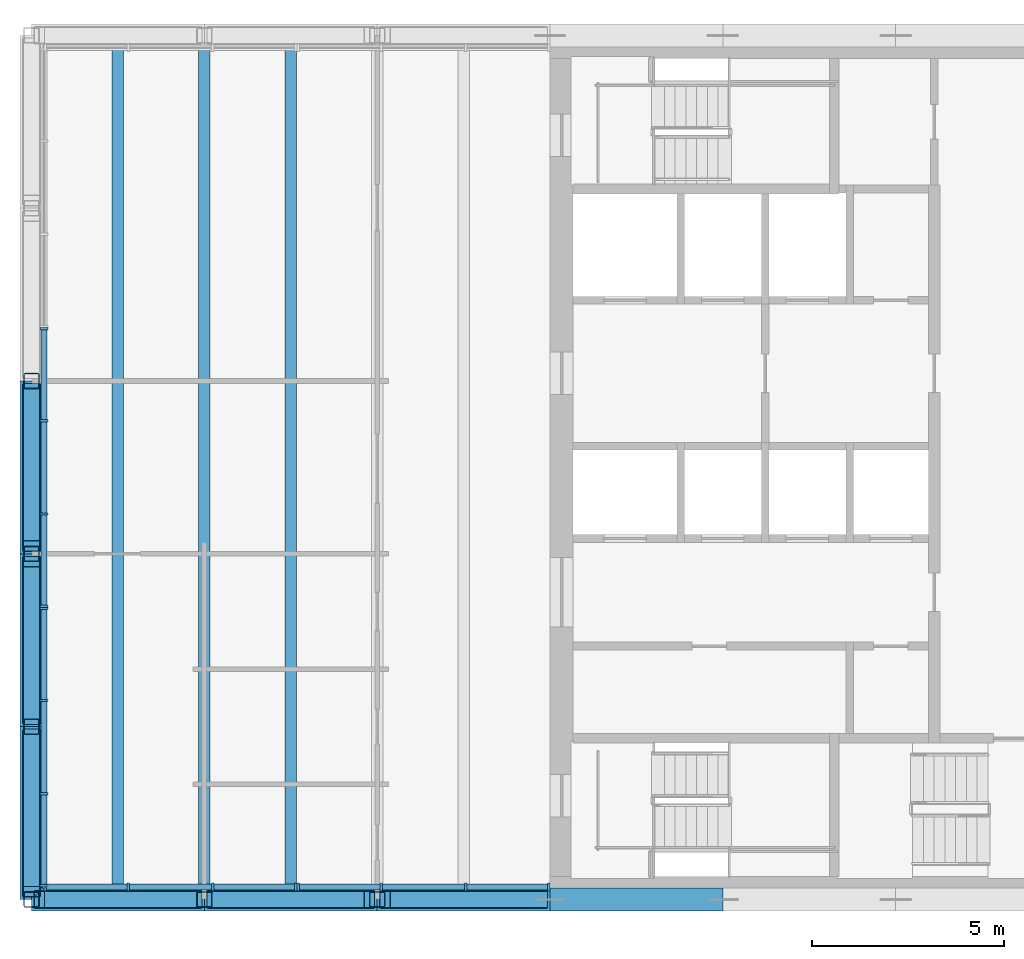
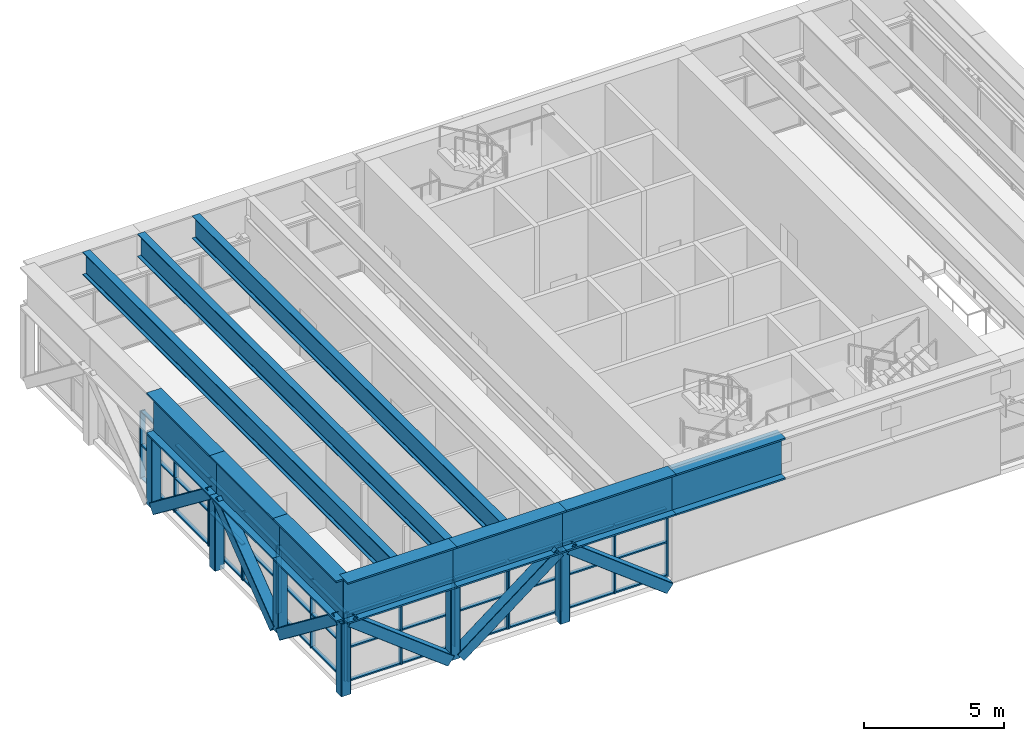
# One storey, part 1 of 12: 71 members, 3 beams, 4 elements without a shape of their own.
"""IFC4 building model written with IfcOpenShell, lengths in metres."""

from ifc_helpers import new_model, si_unit, direction, frame, origin, origin_2d, place, context, subcontext, project, spatial, rectangle, hollow_rectangle, i_section, extrude, material, material_profile, profile_set, type_object, element, aggregate, save


model = new_model("IFC4")

# Units and contexts
model_context = context("Model", 3, precision=1e-05, world=origin(), true_north=direction((0.0, 1.0)))
body_context = subcontext(model_context, "Body", "Model", "MODEL_VIEW")
ifc_project = project(units=[si_unit("LENGTHUNIT", "METRE"), si_unit("AREAUNIT", "SQUARE_METRE"), si_unit("VOLUMEUNIT", "CUBIC_METRE"), si_unit("PLANEANGLEUNIT", "RADIAN"), si_unit("MASSUNIT", "GRAM", prefix="KILO")], contexts=[model_context])

# Site, building, storey
site_placement = place(None, origin())
site = spatial("IfcSite", under=ifc_project, at=site_placement, CompositionType="ELEMENT")
building_placement = place(site_placement, origin())
building = spatial("IfcBuilding", under=site, at=building_placement, Name="Sennacour Bend Tower", CompositionType="ELEMENT")
storey_placement = place(building_placement, frame((0.0, 0.0, 350.5)))
storey = spatial("IfcBuildingStorey", under=building, at=storey_placement, Name="L80", CompositionType="ELEMENT", Elevation=350.5)

# Curtain wall, members
ifc_material_1 = material(Name="Bronze anodised aluminium curtain wall with clear glass", Category="aluminium")
curtain_wall_type = type_object("IfcCurtainWallType", Name="CURTAIN WALL LOUNGE", PredefinedType="NOTDEFINED", material=ifc_material_1)
curtain_wall_1_placement = place(storey_placement, origin())
curtain_wall_1 = element("IfcCurtainWall", 1, at=curtain_wall_1_placement, inside=storey, type_object=curtain_wall_type, Name="Sky lounge glass wall L80", PredefinedType="NOTDEFINED")
ifc_material_2 = material(Name="Aluminium 6063-T6", Category="aluminium")
ifc_material_profile_1 = material_profile(ifc_material_2, rectangle(XDim=0.199951171875, YDim=0.06005859375, at=origin_2d()), Name="Aluminium 6063-T6", Category="aluminium")
ifc_profile_set_1 = profile_set([ifc_material_profile_1], Name="Aluminium 6063-T6")
member_type_1 = type_object("IfcMemberType", Name="CW-MULLION-200X60", PredefinedType="MULLION", material=ifc_profile_set_1)
member_1_placement = place(storey_placement, frame((40.824951171875, 0.35498046875, 0.0), z_axis=(0.0, 0.0, 1.0), x_axis=(-1.0, 0.0, 0.0)))
member_1 = element("IfcMember", 2, at=member_1_placement, type_object=member_type_1, Name="GW4 curtain wall mullion 1", PredefinedType="MULLION", context=body_context, shape_type="SweptSolid", body=[
    extrude(rectangle(XDim=0.199951171875, YDim=0.06005859375, at=origin_2d()), origin(), (0.0, 0.0, 1.0), 2.9501953125),
])
member_2_placement = place(storey_placement, frame((40.824951171875, 2.752685546875, 0.0), z_axis=(0.0, 0.0, 1.0), x_axis=(-1.0, 0.0, 0.0)))
member_2 = element("IfcMember", 3, at=member_2_placement, type_object=member_type_1, Name="GW4 curtain wall mullion 2", PredefinedType="MULLION", context=body_context, shape_type="SweptSolid", body=[
    extrude(rectangle(XDim=0.199951171875, YDim=0.06005859375, at=origin_2d()), origin(), (0.0, 0.0, 1.0), 2.9501953125),
])
member_3_placement = place(storey_placement, frame((40.824951171875, 5.180419921875, 0.0), z_axis=(0.0, 0.0, 1.0), x_axis=(-1.0, 0.0, 0.0)))
member_3 = element("IfcMember", 4, at=member_3_placement, type_object=member_type_1, Name="GW4 curtain wall mullion 3", PredefinedType="MULLION", context=body_context, shape_type="SweptSolid", body=[
    extrude(rectangle(XDim=0.199951171875, YDim=0.06005859375, at=origin_2d()), origin(), (0.0, 0.0, 1.0), 2.9501953125),
])
member_4_placement = place(storey_placement, frame((40.824951171875, 7.578369140625, 0.0), z_axis=(0.0, 0.0, 1.0), x_axis=(-1.0, 0.0, 0.0)))
member_4 = element("IfcMember", 5, at=member_4_placement, type_object=member_type_1, Name="GW4 curtain wall mullion 4", PredefinedType="MULLION", context=body_context, shape_type="SweptSolid", body=[
    extrude(rectangle(XDim=0.199951171875, YDim=0.06005859375, at=origin_2d()), origin(), (0.0, 0.0, 1.0), 2.9501953125),
])

curtain_wall_2_placement = place(storey_placement, origin())
curtain_wall_2 = element("IfcCurtainWall", 6, at=curtain_wall_2_placement, inside=storey, type_object=curtain_wall_type, Name="Sky lounge glass wall L80", PredefinedType="NOTDEFINED")
member_5_placement = place(storey_placement, frame((40.824951171875, 7.63818359375, 0.0), z_axis=(0.0, 0.0, 1.0), x_axis=(-1.0, 0.0, 0.0)))
member_5 = element("IfcMember", 7, at=member_5_placement, type_object=member_type_1, Name="GW4 curtain wall mullion 1", PredefinedType="MULLION", context=body_context, shape_type="SweptSolid", body=[
    extrude(rectangle(XDim=0.199951171875, YDim=0.06005859375, at=origin_2d()), origin(), (0.0, 0.0, 1.0), 2.9501953125),
])
member_6_placement = place(storey_placement, frame((40.824951171875, 10.0361328125, 0.0), z_axis=(0.0, 0.0, 1.0), x_axis=(-1.0, 0.0, 0.0)))
member_6 = element("IfcMember", 8, at=member_6_placement, type_object=member_type_1, Name="GW4 curtain wall mullion 2", PredefinedType="MULLION", context=body_context, shape_type="SweptSolid", body=[
    extrude(rectangle(XDim=0.199951171875, YDim=0.06005859375, at=origin_2d()), origin(), (0.0, 0.0, 1.0), 2.9501953125),
])
member_7_placement = place(storey_placement, frame((40.824951171875, 12.4638671875, 0.0), z_axis=(0.0, 0.0, 1.0), x_axis=(-1.0, 0.0, 0.0)))
member_7 = element("IfcMember", 9, at=member_7_placement, type_object=member_type_1, Name="GW4 curtain wall mullion 3", PredefinedType="MULLION", context=body_context, shape_type="SweptSolid", body=[
    extrude(rectangle(XDim=0.199951171875, YDim=0.06005859375, at=origin_2d()), origin(), (0.0, 0.0, 1.0), 2.9501953125),
])
member_8_placement = place(storey_placement, frame((40.824951171875, 14.86181640625, 0.0), z_axis=(0.0, 0.0, 1.0), x_axis=(-1.0, 0.0, 0.0)))
member_8 = element("IfcMember", 10, at=member_8_placement, type_object=member_type_1, Name="GW4 curtain wall mullion 4", PredefinedType="MULLION", context=body_context, shape_type="SweptSolid", body=[
    extrude(rectangle(XDim=0.199951171875, YDim=0.06005859375, at=origin_2d()), origin(), (0.0, 0.0, 1.0), 2.9501953125),
])

curtain_wall_3_placement = place(storey_placement, origin())
curtain_wall_3 = element("IfcCurtainWall", 11, at=curtain_wall_3_placement, inside=storey, type_object=curtain_wall_type, Name="Sky lounge glass wall L80", PredefinedType="NOTDEFINED")
member_9_placement = place(storey_placement, frame((40.85498046875, 0.324951171875, 0.0), z_axis=(0.0, 0.0, 1.0), x_axis=(0.0, 1.0, 0.0)))
member_9 = element("IfcMember", 12, at=member_9_placement, type_object=member_type_1, Name="GW4 curtain wall mullion 1", PredefinedType="MULLION", context=body_context, shape_type="SweptSolid", body=[
    extrude(rectangle(XDim=0.199951171875, YDim=0.06005859375, at=origin_2d()), origin(), (0.0, 0.0, 1.0), 2.9501953125),
])
member_10_placement = place(storey_placement, frame((43.020751953125, 0.324951171875, 0.0), z_axis=(0.0, 0.0, 1.0), x_axis=(0.0, 1.0, 0.0)))
member_10 = element("IfcMember", 13, at=member_10_placement, type_object=member_type_1, Name="GW4 curtain wall mullion 2", PredefinedType="MULLION", context=body_context, shape_type="SweptSolid", body=[
    extrude(rectangle(XDim=0.199951171875, YDim=0.06005859375, at=origin_2d()), origin(), (0.0, 0.0, 1.0), 2.9501953125),
])
member_11_placement = place(storey_placement, frame((45.21630859375, 0.324951171875, 0.0), z_axis=(0.0, 0.0, 1.0), x_axis=(0.0, 1.0, 0.0)))
member_11 = element("IfcMember", 14, at=member_11_placement, type_object=member_type_1, Name="GW4 curtain wall mullion 3", PredefinedType="MULLION", context=body_context, shape_type="SweptSolid", body=[
    extrude(rectangle(XDim=0.199951171875, YDim=0.06005859375, at=origin_2d()), origin(), (0.0, 0.0, 1.0), 2.9501953125),
])
member_12_placement = place(storey_placement, frame((47.382080078125, 0.324951171875, 0.0), z_axis=(0.0, 0.0, 1.0), x_axis=(0.0, 1.0, 0.0)))
member_12 = element("IfcMember", 15, at=member_12_placement, type_object=member_type_1, Name="GW4 curtain wall mullion 4", PredefinedType="MULLION", context=body_context, shape_type="SweptSolid", body=[
    extrude(rectangle(XDim=0.199951171875, YDim=0.06005859375, at=origin_2d()), origin(), (0.0, 0.0, 1.0), 2.9501953125),
])

curtain_wall_4_placement = place(storey_placement, origin())
curtain_wall_4 = element("IfcCurtainWall", 16, at=curtain_wall_4_placement, inside=storey, type_object=curtain_wall_type, Name="Sky lounge glass wall L80", PredefinedType="NOTDEFINED")
member_13_placement = place(storey_placement, frame((47.44189453125, 0.324951171875, 0.0), z_axis=(0.0, 0.0, 1.0), x_axis=(0.0, 1.0, 0.0)))
member_13 = element("IfcMember", 17, at=member_13_placement, type_object=member_type_1, Name="GW4 curtain wall mullion 1", PredefinedType="MULLION", context=body_context, shape_type="SweptSolid", body=[
    extrude(rectangle(XDim=0.199951171875, YDim=0.06005859375, at=origin_2d()), origin(), (0.0, 0.0, 1.0), 2.9501953125),
])
member_14_placement = place(storey_placement, frame((49.607666015625, 0.324951171875, 0.0), z_axis=(0.0, 0.0, 1.0), x_axis=(0.0, 1.0, 0.0)))
member_14 = element("IfcMember", 18, at=member_14_placement, type_object=member_type_1, Name="GW4 curtain wall mullion 2", PredefinedType="MULLION", context=body_context, shape_type="SweptSolid", body=[
    extrude(rectangle(XDim=0.199951171875, YDim=0.06005859375, at=origin_2d()), origin(), (0.0, 0.0, 1.0), 2.9501953125),
])
member_15_placement = place(storey_placement, frame((51.80322265625, 0.324951171875, 0.0), z_axis=(0.0, 0.0, 1.0), x_axis=(0.0, 1.0, 0.0)))
member_15 = element("IfcMember", 19, at=member_15_placement, type_object=member_type_1, Name="GW4 curtain wall mullion 3", PredefinedType="MULLION", context=body_context, shape_type="SweptSolid", body=[
    extrude(rectangle(XDim=0.199951171875, YDim=0.06005859375, at=origin_2d()), origin(), (0.0, 0.0, 1.0), 2.9501953125),
])
member_16_placement = place(storey_placement, frame((53.968994140625, 0.324951171875, 0.0), z_axis=(0.0, 0.0, 1.0), x_axis=(0.0, 1.0, 0.0)))
member_16 = element("IfcMember", 20, at=member_16_placement, type_object=member_type_1, Name="GW4 curtain wall mullion 4", PredefinedType="MULLION", context=body_context, shape_type="SweptSolid", body=[
    extrude(rectangle(XDim=0.199951171875, YDim=0.06005859375, at=origin_2d()), origin(), (0.0, 0.0, 1.0), 2.9501953125),
])

# Member
ifc_material_profile_2 = material_profile(ifc_material_2, rectangle(XDim=0.14990234375, YDim=0.06005859375, at=origin_2d()), Name="Aluminium 6063-T6", Category="aluminium")
ifc_profile_set_2 = profile_set([ifc_material_profile_2], Name="Aluminium 6063-T6")
member_type_2 = type_object("IfcMemberType", Name="CW-TRANSOM-150X60", PredefinedType="USERDEFINED", material=ifc_profile_set_2)
member_17_placement = place(storey_placement, frame((40.824951171875, 0.385009765625, 0.030029296875), z_axis=(0.0, 1.0, 0.0), x_axis=(-1.0, 0.0, 0.0)))
member_17 = element("IfcMember", 21, at=member_17_placement, type_object=member_type_2, Name="GW4 curtain wall transom 1.1", ObjectType="TRANSOM", PredefinedType="USERDEFINED", context=body_context, shape_type="SweptSolid", body=[
    extrude(rectangle(XDim=0.14990234375, YDim=0.06005859375, at=origin_2d()), origin(), (0.0, 0.0, 1.0), 2.337646484375),
])

member_18_placement = place(storey_placement, frame((40.824951171875, 0.385009765625, 1.47509765625), z_axis=(0.0, 1.0, 0.0), x_axis=(-1.0, 0.0, 0.0)))
member_18 = element("IfcMember", 22, at=member_18_placement, type_object=member_type_2, Name="GW4 curtain wall transom 1.2", ObjectType="TRANSOM", PredefinedType="USERDEFINED", context=body_context, shape_type="SweptSolid", body=[
    extrude(rectangle(XDim=0.14990234375, YDim=0.06005859375, at=origin_2d()), origin(), (0.0, 0.0, 1.0), 2.337646484375),
])

member_19_placement = place(storey_placement, frame((40.824951171875, 0.385009765625, 2.920166015625), z_axis=(0.0, 1.0, 0.0), x_axis=(-1.0, 0.0, 0.0)))
member_19 = element("IfcMember", 23, at=member_19_placement, type_object=member_type_2, Name="GW4 curtain wall transom 1.3", ObjectType="TRANSOM", PredefinedType="USERDEFINED", context=body_context, shape_type="SweptSolid", body=[
    extrude(rectangle(XDim=0.14990234375, YDim=0.06005859375, at=origin_2d()), origin(), (0.0, 0.0, 1.0), 2.337646484375),
])

member_20_placement = place(storey_placement, frame((40.824951171875, 2.78271484375, 0.030029296875), z_axis=(0.0, 1.0, 0.0), x_axis=(-1.0, 0.0, 0.0)))
member_20 = element("IfcMember", 24, at=member_20_placement, type_object=member_type_2, Name="GW4 curtain wall transom 2.1", ObjectType="TRANSOM", PredefinedType="USERDEFINED", context=body_context, shape_type="SweptSolid", body=[
    extrude(rectangle(XDim=0.14990234375, YDim=0.06005859375, at=origin_2d()), origin(), (0.0, 0.0, 1.0), 2.367919921875),
])

member_21_placement = place(storey_placement, frame((40.824951171875, 2.78271484375, 1.47509765625), z_axis=(0.0, 1.0, 0.0), x_axis=(-1.0, 0.0, 0.0)))
member_21 = element("IfcMember", 25, at=member_21_placement, type_object=member_type_2, Name="GW4 curtain wall transom 2.2", ObjectType="TRANSOM", PredefinedType="USERDEFINED", context=body_context, shape_type="SweptSolid", body=[
    extrude(rectangle(XDim=0.14990234375, YDim=0.06005859375, at=origin_2d()), origin(), (0.0, 0.0, 1.0), 2.367919921875),
])

member_22_placement = place(storey_placement, frame((40.824951171875, 2.78271484375, 2.920166015625), z_axis=(0.0, 1.0, 0.0), x_axis=(-1.0, 0.0, 0.0)))
member_22 = element("IfcMember", 26, at=member_22_placement, type_object=member_type_2, Name="GW4 curtain wall transom 2.3", ObjectType="TRANSOM", PredefinedType="USERDEFINED", context=body_context, shape_type="SweptSolid", body=[
    extrude(rectangle(XDim=0.14990234375, YDim=0.06005859375, at=origin_2d()), origin(), (0.0, 0.0, 1.0), 2.367919921875),
])

member_23_placement = place(storey_placement, frame((40.824951171875, 5.21044921875, 0.030029296875), z_axis=(0.0, 1.0, 0.0), x_axis=(-1.0, 0.0, 0.0)))
member_23 = element("IfcMember", 27, at=member_23_placement, type_object=member_type_2, Name="GW4 curtain wall transom 3.1", ObjectType="TRANSOM", PredefinedType="USERDEFINED", context=body_context, shape_type="SweptSolid", body=[
    extrude(rectangle(XDim=0.14990234375, YDim=0.06005859375, at=origin_2d()), origin(), (0.0, 0.0, 1.0), 2.337890625),
])

member_24_placement = place(storey_placement, frame((40.824951171875, 5.21044921875, 1.47509765625), z_axis=(0.0, 1.0, 0.0), x_axis=(-1.0, 0.0, 0.0)))
member_24 = element("IfcMember", 28, at=member_24_placement, type_object=member_type_2, Name="GW4 curtain wall transom 3.2", ObjectType="TRANSOM", PredefinedType="USERDEFINED", context=body_context, shape_type="SweptSolid", body=[
    extrude(rectangle(XDim=0.14990234375, YDim=0.06005859375, at=origin_2d()), origin(), (0.0, 0.0, 1.0), 2.337890625),
])

member_25_placement = place(storey_placement, frame((40.824951171875, 5.21044921875, 2.920166015625), z_axis=(0.0, 1.0, 0.0), x_axis=(-1.0, 0.0, 0.0)))
member_25 = element("IfcMember", 29, at=member_25_placement, type_object=member_type_2, Name="GW4 curtain wall transom 3.3", ObjectType="TRANSOM", PredefinedType="USERDEFINED", context=body_context, shape_type="SweptSolid", body=[
    extrude(rectangle(XDim=0.14990234375, YDim=0.06005859375, at=origin_2d()), origin(), (0.0, 0.0, 1.0), 2.337890625),
])

aggregate(curtain_wall_1, [member_1, member_2, member_3, member_4, member_17, member_18, member_19, member_20, member_21, member_22, member_23, member_24, member_25])

member_26_placement = place(storey_placement, frame((40.824951171875, 7.668212890625, 0.030029296875), z_axis=(0.0, 1.0, 0.0), x_axis=(-1.0, 0.0, 0.0)))
member_26 = element("IfcMember", 30, at=member_26_placement, type_object=member_type_2, Name="GW4 curtain wall transom 1.1", ObjectType="TRANSOM", PredefinedType="USERDEFINED", context=body_context, shape_type="SweptSolid", body=[
    extrude(rectangle(XDim=0.14990234375, YDim=0.06005859375, at=origin_2d()), origin(), (0.0, 0.0, 1.0), 2.337890625),
])

member_27_placement = place(storey_placement, frame((40.824951171875, 7.668212890625, 1.47509765625), z_axis=(0.0, 1.0, 0.0), x_axis=(-1.0, 0.0, 0.0)))
member_27 = element("IfcMember", 31, at=member_27_placement, type_object=member_type_2, Name="GW4 curtain wall transom 1.2", ObjectType="TRANSOM", PredefinedType="USERDEFINED", context=body_context, shape_type="SweptSolid", body=[
    extrude(rectangle(XDim=0.14990234375, YDim=0.06005859375, at=origin_2d()), origin(), (0.0, 0.0, 1.0), 2.337890625),
])

member_28_placement = place(storey_placement, frame((40.824951171875, 7.668212890625, 2.920166015625), z_axis=(0.0, 1.0, 0.0), x_axis=(-1.0, 0.0, 0.0)))
member_28 = element("IfcMember", 32, at=member_28_placement, type_object=member_type_2, Name="GW4 curtain wall transom 1.3", ObjectType="TRANSOM", PredefinedType="USERDEFINED", context=body_context, shape_type="SweptSolid", body=[
    extrude(rectangle(XDim=0.14990234375, YDim=0.06005859375, at=origin_2d()), origin(), (0.0, 0.0, 1.0), 2.337890625),
])

member_29_placement = place(storey_placement, frame((40.824951171875, 10.066162109375, 0.030029296875), z_axis=(0.0, 1.0, 0.0), x_axis=(-1.0, 0.0, 0.0)))
member_29 = element("IfcMember", 33, at=member_29_placement, type_object=member_type_2, Name="GW4 curtain wall transom 2.1", ObjectType="TRANSOM", PredefinedType="USERDEFINED", context=body_context, shape_type="SweptSolid", body=[
    extrude(rectangle(XDim=0.14990234375, YDim=0.06005859375, at=origin_2d()), origin(), (0.0, 0.0, 1.0), 2.36767578125),
])

member_30_placement = place(storey_placement, frame((40.824951171875, 10.066162109375, 1.47509765625), z_axis=(0.0, 1.0, 0.0), x_axis=(-1.0, 0.0, 0.0)))
member_30 = element("IfcMember", 34, at=member_30_placement, type_object=member_type_2, Name="GW4 curtain wall transom 2.2", ObjectType="TRANSOM", PredefinedType="USERDEFINED", context=body_context, shape_type="SweptSolid", body=[
    extrude(rectangle(XDim=0.14990234375, YDim=0.06005859375, at=origin_2d()), origin(), (0.0, 0.0, 1.0), 2.36767578125),
])

member_31_placement = place(storey_placement, frame((40.824951171875, 10.066162109375, 2.920166015625), z_axis=(0.0, 1.0, 0.0), x_axis=(-1.0, 0.0, 0.0)))
member_31 = element("IfcMember", 35, at=member_31_placement, type_object=member_type_2, Name="GW4 curtain wall transom 2.3", ObjectType="TRANSOM", PredefinedType="USERDEFINED", context=body_context, shape_type="SweptSolid", body=[
    extrude(rectangle(XDim=0.14990234375, YDim=0.06005859375, at=origin_2d()), origin(), (0.0, 0.0, 1.0), 2.36767578125),
])

member_32_placement = place(storey_placement, frame((40.824951171875, 12.493896484375, 0.030029296875), z_axis=(0.0, 1.0, 0.0), x_axis=(-1.0, 0.0, 0.0)))
member_32 = element("IfcMember", 36, at=member_32_placement, type_object=member_type_2, Name="GW4 curtain wall transom 3.1", ObjectType="TRANSOM", PredefinedType="USERDEFINED", context=body_context, shape_type="SweptSolid", body=[
    extrude(rectangle(XDim=0.14990234375, YDim=0.06005859375, at=origin_2d()), origin(), (0.0, 0.0, 1.0), 2.337890625),
])

member_33_placement = place(storey_placement, frame((40.824951171875, 12.493896484375, 1.47509765625), z_axis=(0.0, 1.0, 0.0), x_axis=(-1.0, 0.0, 0.0)))
member_33 = element("IfcMember", 37, at=member_33_placement, type_object=member_type_2, Name="GW4 curtain wall transom 3.2", ObjectType="TRANSOM", PredefinedType="USERDEFINED", context=body_context, shape_type="SweptSolid", body=[
    extrude(rectangle(XDim=0.14990234375, YDim=0.06005859375, at=origin_2d()), origin(), (0.0, 0.0, 1.0), 2.337890625),
])

member_34_placement = place(storey_placement, frame((40.824951171875, 12.493896484375, 2.920166015625), z_axis=(0.0, 1.0, 0.0), x_axis=(-1.0, 0.0, 0.0)))
member_34 = element("IfcMember", 38, at=member_34_placement, type_object=member_type_2, Name="GW4 curtain wall transom 3.3", ObjectType="TRANSOM", PredefinedType="USERDEFINED", context=body_context, shape_type="SweptSolid", body=[
    extrude(rectangle(XDim=0.14990234375, YDim=0.06005859375, at=origin_2d()), origin(), (0.0, 0.0, 1.0), 2.337890625),
])

aggregate(curtain_wall_2, [member_5, member_6, member_7, member_8, member_26, member_27, member_28, member_29, member_30, member_31, member_32, member_33, member_34])

member_35_placement = place(storey_placement, frame((40.885009765625, 0.324951171875, 0.030029296875), z_axis=(1.0, 0.0, 0.0), x_axis=(0.0, 1.0, 0.0)))
member_35 = element("IfcMember", 39, at=member_35_placement, type_object=member_type_2, Name="GW4 curtain wall transom 1.1", ObjectType="TRANSOM", PredefinedType="USERDEFINED", context=body_context, shape_type="SweptSolid", body=[
    extrude(rectangle(XDim=0.14990234375, YDim=0.06005859375, at=origin_2d()), origin(), (0.0, 0.0, 1.0), 2.105712890625),
])

member_36_placement = place(storey_placement, frame((40.885009765625, 0.324951171875, 1.47509765625), z_axis=(1.0, 0.0, 0.0), x_axis=(0.0, 1.0, 0.0)))
member_36 = element("IfcMember", 40, at=member_36_placement, type_object=member_type_2, Name="GW4 curtain wall transom 1.2", ObjectType="TRANSOM", PredefinedType="USERDEFINED", context=body_context, shape_type="SweptSolid", body=[
    extrude(rectangle(XDim=0.14990234375, YDim=0.06005859375, at=origin_2d()), origin(), (0.0, 0.0, 1.0), 2.105712890625),
])

member_37_placement = place(storey_placement, frame((40.885009765625, 0.324951171875, 2.920166015625), z_axis=(1.0, 0.0, 0.0), x_axis=(0.0, 1.0, 0.0)))
member_37 = element("IfcMember", 41, at=member_37_placement, type_object=member_type_2, Name="GW4 curtain wall transom 1.3", ObjectType="TRANSOM", PredefinedType="USERDEFINED", context=body_context, shape_type="SweptSolid", body=[
    extrude(rectangle(XDim=0.14990234375, YDim=0.06005859375, at=origin_2d()), origin(), (0.0, 0.0, 1.0), 2.105712890625),
])

member_38_placement = place(storey_placement, frame((43.05078125, 0.324951171875, 0.030029296875), z_axis=(1.0, 0.0, 0.0), x_axis=(0.0, 1.0, 0.0)))
member_38 = element("IfcMember", 42, at=member_38_placement, type_object=member_type_2, Name="GW4 curtain wall transom 2.1", ObjectType="TRANSOM", PredefinedType="USERDEFINED", context=body_context, shape_type="SweptSolid", body=[
    extrude(rectangle(XDim=0.14990234375, YDim=0.06005859375, at=origin_2d()), origin(), (0.0, 0.0, 1.0), 2.135498046875),
])

member_39_placement = place(storey_placement, frame((43.05078125, 0.324951171875, 1.47509765625), z_axis=(1.0, 0.0, 0.0), x_axis=(0.0, 1.0, 0.0)))
member_39 = element("IfcMember", 43, at=member_39_placement, type_object=member_type_2, Name="GW4 curtain wall transom 2.2", ObjectType="TRANSOM", PredefinedType="USERDEFINED", context=body_context, shape_type="SweptSolid", body=[
    extrude(rectangle(XDim=0.14990234375, YDim=0.06005859375, at=origin_2d()), origin(), (0.0, 0.0, 1.0), 2.135498046875),
])

member_40_placement = place(storey_placement, frame((43.05078125, 0.324951171875, 2.920166015625), z_axis=(1.0, 0.0, 0.0), x_axis=(0.0, 1.0, 0.0)))
member_40 = element("IfcMember", 44, at=member_40_placement, type_object=member_type_2, Name="GW4 curtain wall transom 2.3", ObjectType="TRANSOM", PredefinedType="USERDEFINED", context=body_context, shape_type="SweptSolid", body=[
    extrude(rectangle(XDim=0.14990234375, YDim=0.06005859375, at=origin_2d()), origin(), (0.0, 0.0, 1.0), 2.135498046875),
])

member_41_placement = place(storey_placement, frame((45.246337890625, 0.324951171875, 0.030029296875), z_axis=(1.0, 0.0, 0.0), x_axis=(0.0, 1.0, 0.0)))
member_41 = element("IfcMember", 45, at=member_41_placement, type_object=member_type_2, Name="GW4 curtain wall transom 3.1", ObjectType="TRANSOM", PredefinedType="USERDEFINED", context=body_context, shape_type="SweptSolid", body=[
    extrude(rectangle(XDim=0.14990234375, YDim=0.06005859375, at=origin_2d()), origin(), (0.0, 0.0, 1.0), 2.105712890625),
])

member_42_placement = place(storey_placement, frame((45.246337890625, 0.324951171875, 1.47509765625), z_axis=(1.0, 0.0, 0.0), x_axis=(0.0, 1.0, 0.0)))
member_42 = element("IfcMember", 46, at=member_42_placement, type_object=member_type_2, Name="GW4 curtain wall transom 3.2", ObjectType="TRANSOM", PredefinedType="USERDEFINED", context=body_context, shape_type="SweptSolid", body=[
    extrude(rectangle(XDim=0.14990234375, YDim=0.06005859375, at=origin_2d()), origin(), (0.0, 0.0, 1.0), 2.105712890625),
])

member_43_placement = place(storey_placement, frame((45.246337890625, 0.324951171875, 2.920166015625), z_axis=(1.0, 0.0, 0.0), x_axis=(0.0, 1.0, 0.0)))
member_43 = element("IfcMember", 47, at=member_43_placement, type_object=member_type_2, Name="GW4 curtain wall transom 3.3", ObjectType="TRANSOM", PredefinedType="USERDEFINED", context=body_context, shape_type="SweptSolid", body=[
    extrude(rectangle(XDim=0.14990234375, YDim=0.06005859375, at=origin_2d()), origin(), (0.0, 0.0, 1.0), 2.105712890625),
])

aggregate(curtain_wall_3, [member_9, member_10, member_11, member_12, member_35, member_36, member_37, member_38, member_39, member_40, member_41, member_42, member_43])

member_44_placement = place(storey_placement, frame((47.471923828125, 0.324951171875, 0.030029296875), z_axis=(1.0, 0.0, 0.0), x_axis=(0.0, 1.0, 0.0)))
member_44 = element("IfcMember", 48, at=member_44_placement, type_object=member_type_2, Name="GW4 curtain wall transom 1.1", ObjectType="TRANSOM", PredefinedType="USERDEFINED", context=body_context, shape_type="SweptSolid", body=[
    extrude(rectangle(XDim=0.14990234375, YDim=0.06005859375, at=origin_2d()), origin(), (0.0, 0.0, 1.0), 2.105712890625),
])

member_45_placement = place(storey_placement, frame((47.471923828125, 0.324951171875, 1.47509765625), z_axis=(1.0, 0.0, 0.0), x_axis=(0.0, 1.0, 0.0)))
member_45 = element("IfcMember", 49, at=member_45_placement, type_object=member_type_2, Name="GW4 curtain wall transom 1.2", ObjectType="TRANSOM", PredefinedType="USERDEFINED", context=body_context, shape_type="SweptSolid", body=[
    extrude(rectangle(XDim=0.14990234375, YDim=0.06005859375, at=origin_2d()), origin(), (0.0, 0.0, 1.0), 2.105712890625),
])

member_46_placement = place(storey_placement, frame((47.471923828125, 0.324951171875, 2.920166015625), z_axis=(1.0, 0.0, 0.0), x_axis=(0.0, 1.0, 0.0)))
member_46 = element("IfcMember", 50, at=member_46_placement, type_object=member_type_2, Name="GW4 curtain wall transom 1.3", ObjectType="TRANSOM", PredefinedType="USERDEFINED", context=body_context, shape_type="SweptSolid", body=[
    extrude(rectangle(XDim=0.14990234375, YDim=0.06005859375, at=origin_2d()), origin(), (0.0, 0.0, 1.0), 2.105712890625),
])

member_47_placement = place(storey_placement, frame((49.6376953125, 0.324951171875, 0.030029296875), z_axis=(1.0, 0.0, 0.0), x_axis=(0.0, 1.0, 0.0)))
member_47 = element("IfcMember", 51, at=member_47_placement, type_object=member_type_2, Name="GW4 curtain wall transom 2.1", ObjectType="TRANSOM", PredefinedType="USERDEFINED", context=body_context, shape_type="SweptSolid", body=[
    extrude(rectangle(XDim=0.14990234375, YDim=0.06005859375, at=origin_2d()), origin(), (0.0, 0.0, 1.0), 2.1357421875),
])

member_48_placement = place(storey_placement, frame((49.6376953125, 0.324951171875, 1.47509765625), z_axis=(1.0, 0.0, 0.0), x_axis=(0.0, 1.0, 0.0)))
member_48 = element("IfcMember", 52, at=member_48_placement, type_object=member_type_2, Name="GW4 curtain wall transom 2.2", ObjectType="TRANSOM", PredefinedType="USERDEFINED", context=body_context, shape_type="SweptSolid", body=[
    extrude(rectangle(XDim=0.14990234375, YDim=0.06005859375, at=origin_2d()), origin(), (0.0, 0.0, 1.0), 2.1357421875),
])

member_49_placement = place(storey_placement, frame((49.6376953125, 0.324951171875, 2.920166015625), z_axis=(1.0, 0.0, 0.0), x_axis=(0.0, 1.0, 0.0)))
member_49 = element("IfcMember", 53, at=member_49_placement, type_object=member_type_2, Name="GW4 curtain wall transom 2.3", ObjectType="TRANSOM", PredefinedType="USERDEFINED", context=body_context, shape_type="SweptSolid", body=[
    extrude(rectangle(XDim=0.14990234375, YDim=0.06005859375, at=origin_2d()), origin(), (0.0, 0.0, 1.0), 2.1357421875),
])

member_50_placement = place(storey_placement, frame((51.833251953125, 0.324951171875, 0.030029296875), z_axis=(1.0, 0.0, 0.0), x_axis=(0.0, 1.0, 0.0)))
member_50 = element("IfcMember", 54, at=member_50_placement, type_object=member_type_2, Name="GW4 curtain wall transom 3.1", ObjectType="TRANSOM", PredefinedType="USERDEFINED", context=body_context, shape_type="SweptSolid", body=[
    extrude(rectangle(XDim=0.14990234375, YDim=0.06005859375, at=origin_2d()), origin(), (0.0, 0.0, 1.0), 2.105712890625),
])

member_51_placement = place(storey_placement, frame((51.833251953125, 0.324951171875, 1.47509765625), z_axis=(1.0, 0.0, 0.0), x_axis=(0.0, 1.0, 0.0)))
member_51 = element("IfcMember", 55, at=member_51_placement, type_object=member_type_2, Name="GW4 curtain wall transom 3.2", ObjectType="TRANSOM", PredefinedType="USERDEFINED", context=body_context, shape_type="SweptSolid", body=[
    extrude(rectangle(XDim=0.14990234375, YDim=0.06005859375, at=origin_2d()), origin(), (0.0, 0.0, 1.0), 2.105712890625),
])

member_52_placement = place(storey_placement, frame((51.833251953125, 0.324951171875, 2.920166015625), z_axis=(1.0, 0.0, 0.0), x_axis=(0.0, 1.0, 0.0)))
member_52 = element("IfcMember", 56, at=member_52_placement, type_object=member_type_2, Name="GW4 curtain wall transom 3.3", ObjectType="TRANSOM", PredefinedType="USERDEFINED", context=body_context, shape_type="SweptSolid", body=[
    extrude(rectangle(XDim=0.14990234375, YDim=0.06005859375, at=origin_2d()), origin(), (0.0, 0.0, 1.0), 2.105712890625),
])

aggregate(curtain_wall_4, [member_13, member_14, member_15, member_16, member_44, member_45, member_46, member_47, member_48, member_49, member_50, member_51, member_52])

# Beams
ifc_material_3 = material(Name="Steel ASTM A992 Grade 50", Category="steel")
ifc_material_profile_3 = material_profile(ifc_material_3, i_section(OverallWidth=0.300048828125, OverallDepth=0.990966796875, WebThickness=0.0166015625, FlangeThickness=0.030517578125, FilletRadius=0.030029296875, at=origin_2d()), Name="Steel ASTM A992 Grade 50", Category="steel")
ifc_profile_set_3 = profile_set([ifc_material_profile_3], Name="Steel ASTM A992 Grade 50")
beam_type = type_object("IfcBeamType", Name="Floor beam W1000X272", PredefinedType="BEAM", material=ifc_profile_set_3)
for number, where, z_axis, x_axis, name in (
    (57, (42.75, 0.300048828125, 4.25439453125), (0.0, 1.0, 0.0), (-1.0, 0.0, 0.0), "Floor beam FBM3 RF-001"),
    (58, (45.0, 0.300048828125, 4.25439453125), (0.0, 1.0, 0.0), (-1.0, 0.0, 0.0), "Floor beam FBM3 RF-002"),
    (59, (47.25, 0.300048828125, 4.25439453125), (0.0, 1.0, 0.0), (-1.0, 0.0, 0.0), "Floor beam FBM3 RF-003"),
):
    element("IfcBeam", number, at=place(storey_placement, frame(where, z_axis=z_axis, x_axis=x_axis)), inside=storey, type_object=beam_type, Name=name, PredefinedType="BEAM", context=body_context, shape_type="SweptSolid", body=[
        extrude(i_section(OverallWidth=0.300048828125, OverallDepth=0.990966796875, WebThickness=0.0166015625, FlangeThickness=0.030517578125, FilletRadius=0.030029296875, at=origin_2d()), origin(), (0.0, 0.0, 1.0), 21.89990234375),
    ])

# Members
ifc_material_4 = material(Name="Steel ASTM A500 Grade C", Category="steel")
ifc_material_profile_4 = material_profile(ifc_material_4, hollow_rectangle(XDim=0.457275390625, YDim=0.457275390625, WallThickness=0.015869140625, InnerFilletRadius=0.015869140625, OuterFilletRadius=0.03173828125, at=origin_2d()), Name="Steel ASTM A500 Grade C", Category="steel")
ifc_profile_set_4 = profile_set([ifc_material_profile_4], Name="Steel ASTM A500 Grade C")
member_type_3 = type_object("IfcMemberType", Name="Lounge truss diagonal 457", PredefinedType="BRACE", material=ifc_profile_set_4)
for number, where, z_axis, x_axis, name in (
    (60, (40.703125, 0.0, 2.949951171875), (0.792543156862, 0.0, -0.609815828354), (0.0, 1.0, 0.0), "Lounge truss diagonal LD L80-001"),
    (61, (45.203125, 0.0, -0.199951171875), (0.792543156862, 0.0, 0.609815828354), (0.0, 1.0, 0.0), "Lounge truss diagonal LD L80-002"),
    (62, (49.703125, 0.0, 2.949951171875), (0.792543156862, 0.0, -0.609815828354), (0.0, 1.0, 0.0), "Lounge truss diagonal LD L80-003"),
    (63, (40.5, 0.203125, 2.949951171875), (0.0, 0.792543156862, -0.609815828354), (-1.0, 0.0, 0.0), "Lounge truss diagonal LD L80-011"),
    (64, (40.5, 4.703125, -0.199951171875), (0.0, 0.792543156862, 0.609815828354), (-1.0, 0.0, 0.0), "Lounge truss diagonal LD L80-012"),
    (65, (40.5, 9.203125, 2.949951171875), (0.0, 0.792543156862, -0.609815828354), (-1.0, 0.0, 0.0), "Lounge truss diagonal LD L80-013"),
):
    element("IfcMember", number, at=place(storey_placement, frame(where, z_axis=z_axis, x_axis=x_axis)), inside=storey, type_object=member_type_3, Name=name, PredefinedType="BRACE", context=body_context, shape_type="SweptSolid", body=[
        extrude(hollow_rectangle(XDim=0.457275390625, YDim=0.457275390625, WallThickness=0.015869140625, InnerFilletRadius=0.015869140625, OuterFilletRadius=0.03173828125, at=origin_2d()), origin(), (0.0, 0.0, 1.0), 5.165283203125),
    ])
ifc_material_profile_5 = material_profile(ifc_material_4, hollow_rectangle(XDim=0.406494140625, YDim=0.406494140625, WallThickness=0.01904296875, InnerFilletRadius=0.01904296875, OuterFilletRadius=0.0380859375, at=origin_2d()), Name="Steel ASTM A500 Grade C", Category="steel")
ifc_profile_set_5 = profile_set([ifc_material_profile_5], Name="Steel ASTM A500 Grade C")
member_type_4 = type_object("IfcMemberType", Name="Lounge truss post 406", PredefinedType="POST", material=ifc_profile_set_5)
for number, where, z_axis, x_axis, name in (
    (66, (40.5, 0.0, -0.199951171875), (0.0, 0.0, 1.0), (1.0, 0.0, 0.0), "Lounge truss post LP L80-001"),
    (67, (45.0, 0.0, -0.199951171875), (0.0, 0.0, 1.0), (1.0, 0.0, 0.0), "Lounge truss post LP L80-002"),
    (68, (49.5, 0.0, -0.199951171875), (0.0, 0.0, 1.0), (1.0, 0.0, 0.0), "Lounge truss post LP L80-003"),
    (69, (40.5, 4.5, -0.199951171875), (0.0, 0.0, 1.0), (1.0, 0.0, 0.0), "Lounge truss post LP L80-011"),
    (70, (40.5, 9.0, -0.199951171875), (0.0, 0.0, 1.0), (1.0, 0.0, 0.0), "Lounge truss post LP L80-012"),
    (71, (40.5, 13.5, -0.199951171875), (0.0, 0.0, 1.0), (1.0, 0.0, 0.0), "Lounge truss post LP L80-013"),
):
    element("IfcMember", number, at=place(storey_placement, frame(where, z_axis=z_axis, x_axis=x_axis)), inside=storey, type_object=member_type_4, Name=name, PredefinedType="POST", context=body_context, shape_type="SweptSolid", body=[
        extrude(hollow_rectangle(XDim=0.406494140625, YDim=0.406494140625, WallThickness=0.01904296875, InnerFilletRadius=0.01904296875, OuterFilletRadius=0.0380859375, at=origin_2d()), origin(), (0.0, 0.0, 1.0), 3.14990234375),
    ])
ifc_material_5 = material(Name="Steel ASTM A572 Grade 50", Category="steel")
ifc_material_profile_6 = material_profile(ifc_material_5, i_section(OverallWidth=0.60009765625, OverallDepth=1.800048828125, WebThickness=0.0400390625, FlangeThickness=0.070068359375, at=origin_2d()), Name="Steel ASTM A572 Grade 50", Category="steel")
ifc_profile_set_6 = profile_set([ifc_material_profile_6], Name="Steel ASTM A572 Grade 50")
member_type_5 = type_object("IfcMemberType", Name="Lounge truss roof chord 1800", PredefinedType="CHORD", material=ifc_profile_set_6)
for number, where, z_axis, x_axis, name in (
    (72, (40.5, 0.0, 3.85009765625), (1.0, 0.0, 0.0), (0.0, 1.0, 0.0), "Lounge truss chord LR RF-001"),
    (73, (45.0, 0.0, 3.85009765625), (1.0, 0.0, 0.0), (0.0, 1.0, 0.0), "Lounge truss chord LR RF-002"),
    (74, (49.5, 0.0, 3.85009765625), (1.0, 0.0, 0.0), (0.0, 1.0, 0.0), "Lounge truss chord LR RF-003"),
    (75, (54.0, 0.0, 3.85009765625), (1.0, 0.0, 0.0), (0.0, 1.0, 0.0), "Lounge truss chord LR RF-004"),
    (76, (40.5, 0.0, 3.85009765625), (0.0, 1.0, 0.0), (-1.0, 0.0, 0.0), "Lounge truss chord LR RF-017"),
    (77, (40.5, 4.5, 3.85009765625), (0.0, 1.0, 0.0), (-1.0, 0.0, 0.0), "Lounge truss chord LR RF-018"),
    (78, (40.5, 9.0, 3.85009765625), (0.0, 1.0, 0.0), (-1.0, 0.0, 0.0), "Lounge truss chord LR RF-019"),
):
    element("IfcMember", number, at=place(storey_placement, frame(where, z_axis=z_axis, x_axis=x_axis)), inside=storey, type_object=member_type_5, Name=name, PredefinedType="CHORD", context=body_context, shape_type="SweptSolid", body=[
        extrude(i_section(OverallWidth=0.60009765625, OverallDepth=1.800048828125, WebThickness=0.0400390625, FlangeThickness=0.070068359375, at=origin_2d()), origin(), (0.0, 0.0, 1.0), 4.5),
    ])

save(model, "model.ifc")
